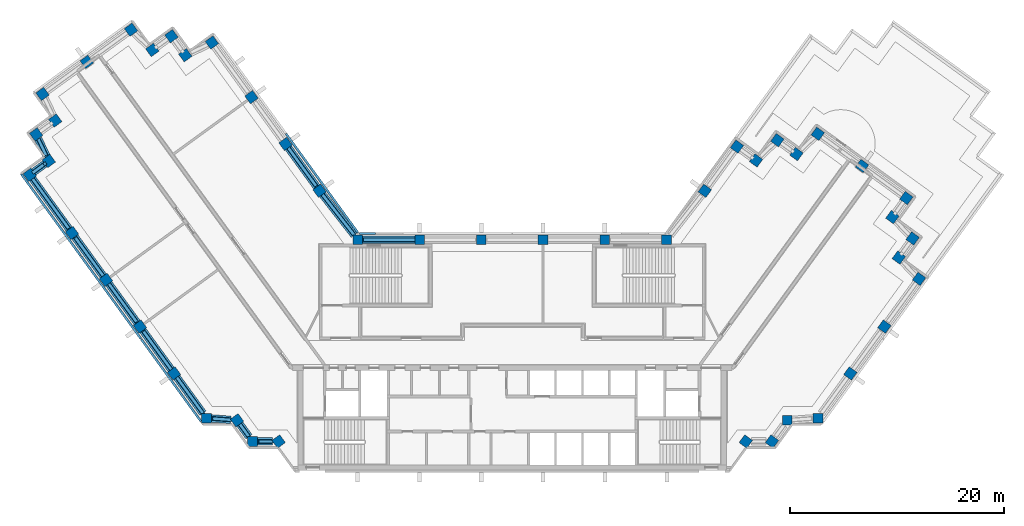
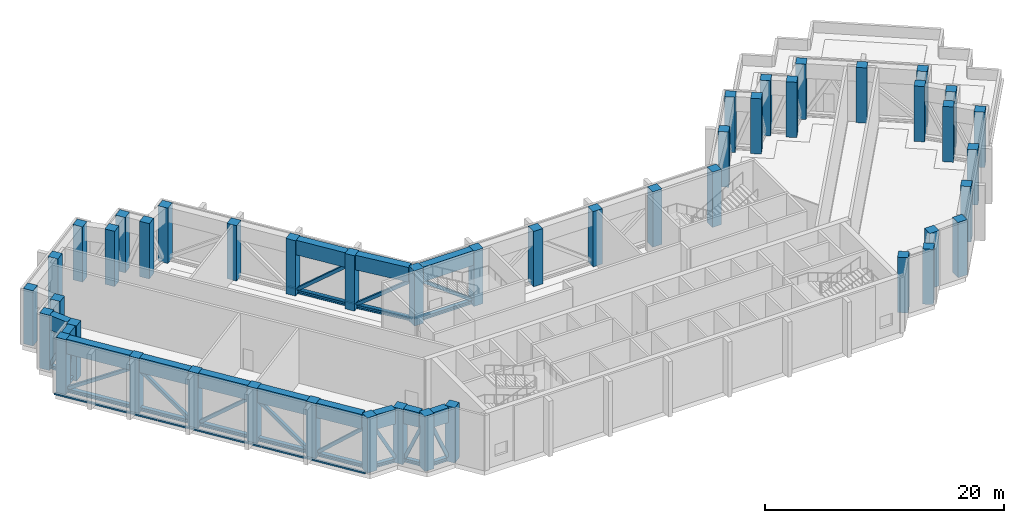
"""IFC4 building model written with IfcOpenShell, lengths in metres."""

from ifc_helpers import new_model, si_unit, direction, frame, origin, origin_2d, place, context, subcontext, project, spatial, rectangle, hollow_rectangle, i_section, extrude, material, material_profile, profile_set, type_object, element, aggregate, save


model = new_model("IFC4")

# Units and contexts
model_context = context("Model", 3, precision=1e-05, world=origin(), true_north=direction((0.0, 1.0)))
body_context = subcontext(model_context, "Body", "Model", "MODEL_VIEW")
ifc_project = project(units=[si_unit("LENGTHUNIT", "METRE"), si_unit("AREAUNIT", "SQUARE_METRE"), si_unit("VOLUMEUNIT", "CUBIC_METRE"), si_unit("PLANEANGLEUNIT", "RADIAN"), si_unit("MASSUNIT", "GRAM", prefix="KILO")], contexts=[model_context])

# Site, building, storey
site_placement = place(None, origin())
site = spatial("IfcSite", under=ifc_project, at=site_placement, CompositionType="ELEMENT")
building_placement = place(site_placement, origin())
building = spatial("IfcBuilding", under=site, at=building_placement, Name="Quipu Civic Tower", CompositionType="ELEMENT")
storey_1_placement = place(building_placement, frame((0.0, 0.0, 188.0)))
storey_1 = spatial("IfcBuildingStorey", under=building, at=storey_1_placement, Name="L44", CompositionType="ELEMENT", Elevation=188.0)

# Columns
ifc_material_1 = material(Name="Concrete C50/60", Category="concrete")
ifc_material_profile_1 = material_profile(ifc_material_1, rectangle(XDim=0.89990234375, YDim=0.89990234375, at=origin_2d()), Name="RC900x900")
ifc_profile_set_1 = profile_set([ifc_material_profile_1], Name="Concrete C50/60")
column_type = type_object("IfcColumnType", Name="Perimeter column RC 900x900 C50/60", PredefinedType="COLUMN", material=ifc_profile_set_1)
for number, where, z_axis, x_axis, name in (
    (1, (-17.9736328125, 15.074951171875, 0.0), (0.0, 0.0, 1.0), (-0.587785252292, 0.809016994375, 0.0), "Column L44 W-IN-01"),
    (2, (-21.1474609375, 19.44384765625, 0.0), (0.0, 0.0, 1.0), (-0.587785252292, 0.809016994375, 0.0), "Column L44 W-IN-02"),
    (3, (-24.3212890625, 23.8125, 0.0), (0.0, 0.0, 1.0), (-0.587785252292, 0.809016994375, 0.0), "Column L44 W-IN-03"),
    (4, (-28.02001953125, 28.905029296875, 0.0), (0.0, 0.0, 1.0), (-0.809016994375, -0.587785252292, 0.0), "Column L44 T-Wi.0-W34"),
    (5, (-30.498779296875, 27.72265625, 0.0), (0.0, 0.0, 1.0), (-0.809016994375, -0.587785252292, 0.0), "Column L44 T-Wi.1-W34"),
    (6, (-31.794921875, 29.5, 0.0), (0.0, 0.0, 1.0), (-0.587785252292, 0.809016994375, 0.0), "Column L44 T-Wi.2-W34"),
    (7, (-33.573974609375, 28.20947265625, 0.0), (0.0, 0.0, 1.0), (-0.587785252292, 0.809016994375, 0.0), "Column L44 T-Wi.3-W34"),
    (8, (-35.56494140625, 30.10009765625, 0.0), (0.0, 0.0, 1.0), (-0.809016994375, -0.587785252292, 0.0), "Column L44 T-Wi.4-W34"),
    (9, (-39.690673828125, 27.10205078125, 0.0), (0.0, 0.0, 1.0), (-0.809016994375, -0.587785252292, 0.0), "Column L44 TIP-W-01-W34"),
    (10, (-43.81494140625, 24.10498046875, 0.0), (0.0, 0.0, 1.0), (-0.809016994375, -0.587785252292, 0.0), "Column L44 T-Wo.0-W34"),
    (11, (-42.635009765625, 21.626220703125, 0.0), (0.0, 0.0, 1.0), (-0.809016994375, -0.587785252292, 0.0), "Column L44 T-Wo.1-W34"),
    (12, (-44.4150390625, 20.3349609375, 0.0), (0.0, 0.0, 1.0), (0.587785252292, -0.809016994375, 0.0), "Column L44 T-Wo.2-W34"),
    (13, (-43.23095703125, 17.8544921875, 0.0), (0.0, 0.0, 1.0), (0.587785252292, -0.809016994375, 0.0), "Column L44 T-Wo.3-W34"),
    (14, (-45.010009765625, 16.56005859375, 0.0), (0.0, 0.0, 1.0), (0.587785252292, -0.809016994375, 0.0), "Column L44 T-Wo.4-W34"),
    (15, (-41.0703125, 11.137451171875, 0.0), (0.0, 0.0, 1.0), (0.587785252292, -0.809016994375, 0.0), "Column L44 W-OUT-04"),
    (16, (-37.896240234375, 6.768798828125, 0.0), (0.0, 0.0, 1.0), (0.587785252292, -0.809016994375, 0.0), "Column L44 W-OUT-03"),
    (17, (-34.722412109375, 2.39990234375, 0.0), (0.0, 0.0, 1.0), (0.587785252292, -0.809016994375, 0.0), "Column L44 W-OUT-02"),
    (18, (-31.54833984375, -1.96875, 0.0), (0.0, 0.0, 1.0), (0.587785252292, -0.809016994375, 0.0), "Column L44 W-OUT-01"),
    (19, (-28.52490234375, -6.1298828125, 0.0), (0.0, 0.0, 1.0), (1.0, 0.0, 0.0), "Column L44 J-Wo.0"),
    (20, (-25.67431640625, -6.3369140625, 0.0), (0.0, 0.0, 1.0), (0.587785252292, -0.809016994375, 0.0), "Column L44 J-Wo.1"),
    (21, (-24.235107421875, -8.31494140625, 0.0), (0.0, 0.0, 1.0), (1.0, 0.0, 0.0), "Column L44 J-Wo.2"),
    (22, (-21.791748046875, -8.31494140625, 0.0), (0.0, 0.0, 1.0), (0.587785252292, -0.809016994375, 0.0), "Column L44 J-Wo.3"),
    (23, (21.791748046875, -8.31494140625, 0.0), (0.0, 0.0, 1.0), (0.587785252292, 0.809016994375, 0.0), "Column L44 J-Eo.1"),
    (24, (24.235107421875, -8.31494140625, 0.0), (0.0, 0.0, 1.0), (0.587785252292, 0.809016994375, 0.0), "Column L44 J-Eo.2"),
    (25, (25.67431640625, -6.3369140625, 0.0), (0.0, 0.0, 1.0), (1.0, 0.0, 0.0), "Column L44 J-Eo.3"),
    (26, (28.52490234375, -6.1298828125, 0.0), (0.0, 0.0, 1.0), (1.0, 0.0, 0.0), "Column L44 J-Eo.4"),
    (27, (31.54833984375, -1.96875, 0.0), (0.0, 0.0, 1.0), (0.587785252292, 0.809016994375, 0.0), "Column L44 E-OUT-01"),
    (28, (34.722412109375, 2.39990234375, 0.0), (0.0, 0.0, 1.0), (0.587785252292, 0.809016994375, 0.0), "Column L44 E-OUT-02"),
    (29, (37.9599609375, 6.85498046875, 0.0), (0.0, 0.0, 1.0), (0.587785252292, 0.809016994375, 0.0), "Column L44 T-Eo.0-E22"),
    (30, (36.068115234375, 8.843994140625, 0.0), (0.0, 0.0, 1.0), (0.587785252292, 0.809016994375, 0.0), "Column L44 T-Eo.1-E22"),
    (31, (37.360107421875, 10.625, 0.0), (0.0, 0.0, 1.0), (0.587785252292, 0.809016994375, 0.0), "Column L44 T-Eo.2-E22"),
    (32, (35.470703125, 12.616455078125, 0.0), (0.0, 0.0, 1.0), (-0.809016994375, 0.587785252292, 0.0), "Column L44 T-Eo.3-E22"),
    (33, (36.764892578125, 14.39501953125, 0.0), (0.0, 0.0, 1.0), (-0.809016994375, 0.587785252292, 0.0), "Column L44 T-Eo.4-E22"),
    (34, (32.636962890625, 17.39306640625, 0.0), (0.0, 0.0, 1.0), (-0.809016994375, 0.587785252292, 0.0), "Column L44 TIP-E-01-E22"),
    (35, (28.510009765625, 20.389892578125, 0.0), (0.0, 0.0, 1.0), (-0.587785252292, -0.809016994375, 0.0), "Column L44 T-Ei.0-E22"),
    (36, (26.51904296875, 18.50048828125, 0.0), (0.0, 0.0, 1.0), (-0.809016994375, 0.587785252292, 0.0), "Column L44 T-Ei.1-E22"),
    (37, (24.739990234375, 19.794921875, 0.0), (0.0, 0.0, 1.0), (-0.587785252292, -0.809016994375, 0.0), "Column L44 T-Ei.2-E22"),
    (38, (22.749267578125, 17.904296875, 0.0), (0.0, 0.0, 1.0), (-0.587785252292, -0.809016994375, 0.0), "Column L44 T-Ei.3-E22"),
    (39, (20.969970703125, 19.195068359375, 0.0), (0.0, 0.0, 1.0), (-0.587785252292, -0.809016994375, 0.0), "Column L44 T-Ei.4-E22"),
    (40, (17.9736328125, 15.074951171875, 0.0), (0.0, 0.0, 1.0), (-0.587785252292, -0.809016994375, 0.0), "Column L44 E-IN-01"),
    (41, (14.395263671875, 10.5, 0.0), (0.0, 0.0, 1.0), (-1.0, 0.0, 0.0), "Column L44 J-Ei.0"),
    (42, (8.63720703125, 10.5, 0.0), (0.0, 0.0, 1.0), (-1.0, 0.0, 0.0), "Column L44 FRONT-01"),
    (43, (2.87890625, 10.5, 0.0), (0.0, 0.0, 1.0), (-1.0, 0.0, 0.0), "Column L44 FRONT-02"),
    (44, (-2.87890625, 10.5, 0.0), (0.0, 0.0, 1.0), (-1.0, 0.0, 0.0), "Column L44 FRONT-03"),
    (45, (-8.63720703125, 10.5, 0.0), (0.0, 0.0, 1.0), (-1.0, 0.0, 0.0), "Column L44 FRONT-04"),
    (46, (-14.395263671875, 10.5, 0.0), (0.0, 0.0, 1.0), (-1.0, 0.0, 0.0), "Column L44 J-Wi.0"),
):
    element("IfcColumn", number, at=place(storey_1_placement, frame(where, z_axis=z_axis, x_axis=x_axis)), inside=storey_1, type_object=column_type, Name=name, PredefinedType="COLUMN", context=body_context, shape_type="SweptSolid", body=[
        extrude(rectangle(XDim=0.89990234375, YDim=0.89990234375, at=origin_2d()), origin(), (0.0, 0.0, 1.0), 5.64990234375),
    ])

# Beams
ifc_material_2 = material(Name="Steel ASTM A992 Grade 50 (fy 345 MPa)", Category="steel")
ifc_material_profile_2 = material_profile(ifc_material_2, i_section(OverallWidth=0.3740234375, OverallDepth=0.372314453125, WebThickness=0.016357421875, FlangeThickness=0.026123046875, at=origin_2d()), Name="W360x196")
ifc_profile_set_2 = profile_set([ifc_material_profile_2], Name="Steel ASTM A992 Grade 50 (fy 345 MPa)")
beam_type_1 = type_object("IfcBeamType", Name="Belt truss bottom chord W360x196", PredefinedType="BEAM", material=ifc_profile_set_2)
beam_1_placement = place(storey_1_placement, frame((-18.238037109375, 15.43896484375, 0.2861328125), z_axis=(-0.587716763865, 0.809066749701, 0.0), x_axis=(-0.809066749701, -0.587716763865, 0.0)))
element("IfcBeam", 47, at=beam_1_placement, inside=storey_1, type_object=beam_type_1, Name="Truss bottom chord L44 W-IN-01 to W-IN-02", PredefinedType="BEAM", context=body_context, shape_type="SweptSolid", body=[
    extrude(i_section(OverallWidth=0.3740234375, OverallDepth=0.372314453125, WebThickness=0.016357421875, FlangeThickness=0.026123046875, at=origin_2d()), origin(), (0.0, 0.0, 1.0), 4.5),
])
beam_2_placement = place(storey_1_placement, frame((-44.2177734375, 19.922119140625, 0.2861328125), z_axis=(0.430677818234, -0.902505743406, 0.0), x_axis=(0.902505743406, 0.430677818234, 0.0)))
element("IfcBeam", 48, at=beam_2_placement, inside=storey_1, type_object=beam_type_1, Name="Truss bottom chord L44 T-Wo.2-W34 to T-Wo.3-W34", PredefinedType="BEAM", context=body_context, shape_type="SweptSolid", body=[
    extrude(i_section(OverallWidth=0.3740234375, OverallDepth=0.372314453125, WebThickness=0.016357421875, FlangeThickness=0.026123046875, at=origin_2d()), origin(), (0.0, 0.0, 1.0), 1.833251953125),
])
beam_3_placement = place(storey_1_placement, frame((-43.594970703125, 17.58984375, 0.2861328125), z_axis=(-0.808524921146, -0.588461937499, 0.0), x_axis=(0.588461937499, -0.808524921146, 0.0)))
element("IfcBeam", 49, at=beam_3_placement, inside=storey_1, type_object=beam_type_1, Name="Truss bottom chord L44 T-Wo.3-W34 to T-Wo.4-W34", PredefinedType="BEAM", context=body_context, shape_type="SweptSolid", body=[
    extrude(i_section(OverallWidth=0.3740234375, OverallDepth=0.372314453125, WebThickness=0.016357421875, FlangeThickness=0.026123046875, at=origin_2d()), origin(), (0.0, 0.0, 1.0), 1.30029296875),
])
beam_4_placement = place(storey_1_placement, frame((-44.74560546875, 16.196044921875, 0.2861328125), z_axis=(0.587766353983, -0.809030724463, 0.0), x_axis=(0.809030724463, 0.587766353983, 0.0)))
element("IfcBeam", 50, at=beam_4_placement, inside=storey_1, type_object=beam_type_1, Name="Truss bottom chord L44 T-Wo.4-W34 to W-OUT-04", PredefinedType="BEAM", context=body_context, shape_type="SweptSolid", body=[
    extrude(i_section(OverallWidth=0.3740234375, OverallDepth=0.372314453125, WebThickness=0.016357421875, FlangeThickness=0.026123046875, at=origin_2d()), origin(), (0.0, 0.0, 1.0), 5.802734375),
])
beam_5_placement = place(storey_1_placement, frame((-40.805908203125, 10.7734375, 0.2861328125), z_axis=(0.587778073121, -0.809022210299, 0.0), x_axis=(0.809022210299, 0.587778073121, 0.0)))
element("IfcBeam", 51, at=beam_5_placement, inside=storey_1, type_object=beam_type_1, Name="Truss bottom chord L44 W-OUT-04 to W-OUT-03", PredefinedType="BEAM", context=body_context, shape_type="SweptSolid", body=[
    extrude(i_section(OverallWidth=0.3740234375, OverallDepth=0.372314453125, WebThickness=0.016357421875, FlangeThickness=0.026123046875, at=origin_2d()), origin(), (0.0, 0.0, 1.0), 4.5),
])
beam_6_placement = place(storey_1_placement, frame((-37.6318359375, 6.404541015625, 0.2861328125), z_axis=(0.587803872688, -0.809003465539, 0.0), x_axis=(0.809003465539, 0.587803872688, 0.0)))
element("IfcBeam", 52, at=beam_6_placement, inside=storey_1, type_object=beam_type_1, Name="Truss bottom chord L44 W-OUT-03 to W-OUT-02", PredefinedType="BEAM", context=body_context, shape_type="SweptSolid", body=[
    extrude(i_section(OverallWidth=0.3740234375, OverallDepth=0.372314453125, WebThickness=0.016357421875, FlangeThickness=0.026123046875, at=origin_2d()), origin(), (0.0, 0.0, 1.0), 4.499755859375),
])
beam_7_placement = place(storey_1_placement, frame((-34.457763671875, 2.035888671875, 0.2861328125), z_axis=(0.587778073121, -0.809022210299, 0.0), x_axis=(0.809022210299, 0.587778073121, 0.0)))
element("IfcBeam", 53, at=beam_7_placement, inside=storey_1, type_object=beam_type_1, Name="Truss bottom chord L44 W-OUT-02 to W-OUT-01", PredefinedType="BEAM", context=body_context, shape_type="SweptSolid", body=[
    extrude(i_section(OverallWidth=0.3740234375, OverallDepth=0.372314453125, WebThickness=0.016357421875, FlangeThickness=0.026123046875, at=origin_2d()), origin(), (0.0, 0.0, 1.0), 4.5),
])
beam_8_placement = place(storey_1_placement, frame((-31.28369140625, -2.332763671875, 0.2861328125), z_axis=(0.587750565781, -0.809042194464, 0.0), x_axis=(0.809042194464, 0.587750565781, 0.0)))
element("IfcBeam", 54, at=beam_8_placement, inside=storey_1, type_object=beam_type_1, Name="Truss bottom chord L44 W-OUT-01 to J-Wo.0", PredefinedType="BEAM", context=body_context, shape_type="SweptSolid", body=[
    extrude(i_section(OverallWidth=0.3740234375, OverallDepth=0.372314453125, WebThickness=0.016357421875, FlangeThickness=0.026123046875, at=origin_2d()), origin(), (0.0, 0.0, 1.0), 4.13720703125),
])
beam_9_placement = place(storey_1_placement, frame((-28.074951171875, -6.16259765625, 0.2861328125), z_axis=(0.997367229877, -0.072516265536, 0.0), x_axis=(0.072516265536, 0.997367229877, 0.0)))
element("IfcBeam", 55, at=beam_9_placement, inside=storey_1, type_object=beam_type_1, Name="Truss bottom chord L44 J-Wo.0 to J-Wo.1", PredefinedType="BEAM", context=body_context, shape_type="SweptSolid", body=[
    extrude(i_section(OverallWidth=0.3740234375, OverallDepth=0.372314453125, WebThickness=0.016357421875, FlangeThickness=0.026123046875, at=origin_2d()), origin(), (0.0, 0.0, 1.0), 1.818115234375),
])
beam_10_placement = place(storey_1_placement, frame((-25.40966796875, -6.700927734375, 0.2861328125), z_axis=(0.588433824377, -0.808545381738, 0.0), x_axis=(0.808545381738, 0.588433824377, 0.0)))
element("IfcBeam", 56, at=beam_10_placement, inside=storey_1, type_object=beam_type_1, Name="Truss bottom chord L44 J-Wo.1 to J-Wo.2", PredefinedType="BEAM", context=body_context, shape_type="SweptSolid", body=[
    extrude(i_section(OverallWidth=0.3740234375, OverallDepth=0.372314453125, WebThickness=0.016357421875, FlangeThickness=0.026123046875, at=origin_2d()), origin(), (0.0, 0.0, 1.0), 1.439697265625),
])
beam_11_placement = place(storey_1_placement, frame((-23.784912109375, -8.31494140625, 0.2861328125), z_axis=(1.0, 0.0, 0.0), x_axis=(0.0, 1.0, 0.0)))
element("IfcBeam", 57, at=beam_11_placement, inside=storey_1, type_object=beam_type_1, Name="Truss bottom chord L44 J-Wo.2 to J-Wo.3", PredefinedType="BEAM", context=body_context, shape_type="SweptSolid", body=[
    extrude(i_section(OverallWidth=0.3740234375, OverallDepth=0.372314453125, WebThickness=0.016357421875, FlangeThickness=0.026123046875, at=origin_2d()), origin(), (0.0, 0.0, 1.0), 1.436767578125),
])
beam_12_placement = place(storey_1_placement, frame((-9.087158203125, 10.5, 0.2861328125), z_axis=(-1.0, 0.0, 0.0), x_axis=(0.0, -1.0, 0.0)))
element("IfcBeam", 58, at=beam_12_placement, inside=storey_1, type_object=beam_type_1, Name="Truss bottom chord L44 FRONT-04 to J-Wi.0", PredefinedType="BEAM", context=body_context, shape_type="SweptSolid", body=[
    extrude(i_section(OverallWidth=0.3740234375, OverallDepth=0.372314453125, WebThickness=0.016357421875, FlangeThickness=0.026123046875, at=origin_2d()), origin(), (0.0, 0.0, 1.0), 4.858154296875),
])
beam_13_placement = place(storey_1_placement, frame((-14.7470703125, 10.949951171875, 0.2861328125), z_axis=(-0.616123961998, 0.787649200756, 0.0), x_axis=(-0.787649200756, -0.616123961998, 0.0)))
element("IfcBeam", 59, at=beam_13_placement, inside=storey_1, type_object=beam_type_1, Name="Truss bottom chord L44 J-Wi.0 to W-IN-01", PredefinedType="BEAM", context=body_context, shape_type="SweptSolid", body=[
    extrude(i_section(OverallWidth=0.3740234375, OverallDepth=0.372314453125, WebThickness=0.016357421875, FlangeThickness=0.026123046875, at=origin_2d()), origin(), (0.0, 0.0, 1.0), 4.78662109375),
])

# Members
ifc_material_3 = material(Name="Steel ASTM A500 Grade C (fy 345 MPa)", Category="steel")
ifc_material_profile_3 = material_profile(ifc_material_3, hollow_rectangle(XDim=0.3046875, YDim=0.3046875, WallThickness=0.0126953125, at=origin_2d()), Name="HSS305x305x13")
ifc_profile_set_3 = profile_set([ifc_material_profile_3], Name="Steel ASTM A500 Grade C (fy 345 MPa)")
member_type_1 = type_object("IfcMemberType", Name="Belt truss diagonal HSS305x305x13", PredefinedType="BRACE", material=ifc_profile_set_3)
member_1_placement = place(storey_1_placement, frame((-18.238037109375, 15.43896484375, 4.14990234375), z_axis=(-0.455085553293, 0.626483047748, -0.632784426221), x_axis=(-0.809066749701, -0.587716763865, 0.0)))
element("IfcMember", 60, at=member_1_placement, inside=storey_1, type_object=member_type_1, Name="Truss diagonal L44 W-IN-01 to W-IN-02", PredefinedType="BRACE", context=body_context, shape_type="SweptSolid", body=[
    extrude(hollow_rectangle(XDim=0.3046875, YDim=0.3046875, WallThickness=0.0126953125, at=origin_2d()), origin(), (0.0, 0.0, 1.0), 5.8115234375),
])
member_2_placement = place(storey_1_placement, frame((-44.22119140625, 19.928955078125, 0.472412109375), z_axis=(0.193487627574, -0.405303788846, 0.893471531009), x_axis=(0.902440195661, 0.430815149751, 0.0)))
element("IfcMember", 61, at=member_2_placement, inside=storey_1, type_object=member_type_1, Name="Truss diagonal L44 T-Wo.2-W34 to T-Wo.3-W34", PredefinedType="BRACE", context=body_context, shape_type="SweptSolid", body=[
    extrude(hollow_rectangle(XDim=0.3046875, YDim=0.3046875, WallThickness=0.0126953125, at=origin_2d()), origin(), (0.0, 0.0, 1.0), 4.115966796875),
])
member_3_placement = place(storey_1_placement, frame((-43.594970703125, 17.58984375, 4.14990234375), z_axis=(-0.269516102649, -0.196159652973, -0.942805632651), x_axis=(0.588461937499, -0.808524921146, 0.0)))
element("IfcMember", 62, at=member_3_placement, inside=storey_1, type_object=member_type_1, Name="Truss diagonal L44 T-Wo.3-W34 to T-Wo.4-W34", PredefinedType="BRACE", context=body_context, shape_type="SweptSolid", body=[
    extrude(hollow_rectangle(XDim=0.3046875, YDim=0.3046875, WallThickness=0.0126953125, at=origin_2d()), origin(), (0.0, 0.0, 1.0), 3.900634765625),
])
member_4_placement = place(storey_1_placement, frame((-44.74560546875, 16.196044921875, 0.472412109375), z_axis=(0.49646210482, -0.683355033184, 0.535304845018), x_axis=(0.809030724463, 0.587766353983, 0.0)))
element("IfcMember", 63, at=member_4_placement, inside=storey_1, type_object=member_type_1, Name="Truss diagonal L44 T-Wo.4-W34 to W-OUT-04", PredefinedType="BRACE", context=body_context, shape_type="SweptSolid", body=[
    extrude(hollow_rectangle(XDim=0.3046875, YDim=0.3046875, WallThickness=0.0126953125, at=origin_2d()), origin(), (0.0, 0.0, 1.0), 6.869873046875),
])
for number, where, z_axis, x_axis, name in (
    (64, (-40.805908203125, 10.7734375, 4.14990234375), (0.455130838756, -0.626445548046, -0.632788981372), (0.809022210299, 0.587778073121, 0.0), "Truss diagonal L44 W-OUT-04 to W-OUT-03"),
    (65, (-37.6318359375, 6.404541015625, 0.472412109375), (0.455142816351, -0.626420023501, 0.632805634363), (0.809003465539, 0.587803872688, 0.0), "Truss diagonal L44 W-OUT-03 to W-OUT-02"),
    (66, (-34.457763671875, 2.035888671875, 4.14990234375), (0.455130838756, -0.626445548046, -0.632788981372), (0.809022210299, 0.587778073121, 0.0), "Truss diagonal L44 W-OUT-02 to W-OUT-01"),
):
    element("IfcMember", number, at=place(storey_1_placement, frame(where, z_axis=z_axis, x_axis=x_axis)), inside=storey_1, type_object=member_type_1, Name=name, PredefinedType="BRACE", context=body_context, shape_type="SweptSolid", body=[
        extrude(hollow_rectangle(XDim=0.3046875, YDim=0.3046875, WallThickness=0.0126953125, at=origin_2d()), origin(), (0.0, 0.0, 1.0), 5.8115234375),
    ])
member_5_placement = place(storey_1_placement, frame((-31.28369140625, -2.332763671875, 0.472412109375), z_axis=(0.444173716146, -0.611391033325, 0.654912753163), x_axis=(0.809034531764, 0.58776111339, 0.0)))
element("IfcMember", 67, at=member_5_placement, inside=storey_1, type_object=member_type_1, Name="Truss diagonal L44 W-OUT-01 to J-Wo.0", PredefinedType="BRACE", context=body_context, shape_type="SweptSolid", body=[
    extrude(hollow_rectangle(XDim=0.3046875, YDim=0.3046875, WallThickness=0.0126953125, at=origin_2d()), origin(), (0.0, 0.0, 1.0), 5.615234375),
])
member_6_placement = place(storey_1_placement, frame((-28.076171875, -6.16259765625, 4.14990234375), z_axis=(0.468736130303, -0.03404621724, -0.882681876579), x_axis=(0.072443235904, 0.997372537005, 0.0)))
element("IfcMember", 68, at=member_6_placement, inside=storey_1, type_object=member_type_1, Name="Truss diagonal L44 J-Wo.0 to J-Wo.1", PredefinedType="BRACE", context=body_context, shape_type="SweptSolid", body=[
    extrude(hollow_rectangle(XDim=0.3046875, YDim=0.3046875, WallThickness=0.0126953125, at=origin_2d()), origin(), (0.0, 0.0, 1.0), 4.166259765625),
])
member_7_placement = place(storey_1_placement, frame((-25.40966796875, -6.700927734375, 0.472412109375), z_axis=(0.228084792407, -0.313394746959, 0.92182485324), x_axis=(0.808538039962, 0.58844391231, 0.0)))
element("IfcMember", 69, at=member_7_placement, inside=storey_1, type_object=member_type_1, Name="Truss diagonal L44 J-Wo.1 to J-Wo.2", PredefinedType="BRACE", context=body_context, shape_type="SweptSolid", body=[
    extrude(hollow_rectangle(XDim=0.3046875, YDim=0.3046875, WallThickness=0.0126953125, at=origin_2d()), origin(), (0.0, 0.0, 1.0), 3.9892578125),
])
member_8_placement = place(storey_1_placement, frame((-23.784912109375, -8.31494140625, 4.14990234375), z_axis=(0.386948343991, 0.0, -0.92210139306), x_axis=(0.0, 1.0, 0.0)))
element("IfcMember", 70, at=member_8_placement, inside=storey_1, type_object=member_type_1, Name="Truss diagonal L44 J-Wo.2 to J-Wo.3", PredefinedType="BRACE", context=body_context, shape_type="SweptSolid", body=[
    extrude(hollow_rectangle(XDim=0.3046875, YDim=0.3046875, WallThickness=0.0126953125, at=origin_2d()), origin(), (0.0, 0.0, 1.0), 3.98828125),
])
member_9_placement = place(storey_1_placement, frame((-9.087158203125, 10.5, 0.472412109375), z_axis=(-0.797323523901, 0.0, 0.603552150385), x_axis=(0.0, -1.0, 0.0)))
element("IfcMember", 71, at=member_9_placement, inside=storey_1, type_object=member_type_1, Name="Truss diagonal L44 FRONT-04 to J-Wi.0", PredefinedType="BRACE", context=body_context, shape_type="SweptSolid", body=[
    extrude(hollow_rectangle(XDim=0.3046875, YDim=0.3046875, WallThickness=0.0126953125, at=origin_2d()), origin(), (0.0, 0.0, 1.0), 6.093017578125),
])
member_10_placement = place(storey_1_placement, frame((-14.67236328125, 10.8544921875, 4.14990234375), z_axis=(-0.493057703234, 0.630354329946, -0.599622814776), x_axis=(-0.787664522221, -0.616104374627, 0.0)))
element("IfcMember", 72, at=member_10_placement, inside=storey_1, type_object=member_type_1, Name="Truss diagonal L44 J-Wi.0 to W-IN-01", PredefinedType="BRACE", context=body_context, shape_type="SweptSolid", body=[
    extrude(hollow_rectangle(XDim=0.3046875, YDim=0.3046875, WallThickness=0.0126953125, at=origin_2d()), origin(), (0.0, 0.0, 1.0), 6.133056640625),
])

# Beams
ifc_material_4 = material(Name="Steel ASTM A572 Grade 50 (fy 345 MPa)", Category="steel")
ifc_material_profile_4 = material_profile(ifc_material_4, hollow_rectangle(XDim=0.699951171875, YDim=1.5, WallThickness=0.050048828125, at=origin_2d()), Name="BX1500x700x50")
ifc_profile_set_4 = profile_set([ifc_material_profile_4], Name="Steel ASTM A572 Grade 50 (fy 345 MPa)")
beam_type_2 = type_object("IfcBeamType", Name="Belt truss top chord BX1500x700x50", PredefinedType="BEAM", material=ifc_profile_set_4)
beam_14_placement = place(storey_1_placement, frame((-18.238037109375, 15.43896484375, 4.89990234375), z_axis=(-0.587716763865, 0.809066749701, 0.0), x_axis=(-0.809066749701, -0.587716763865, 0.0)))
element("IfcBeam", 73, at=beam_14_placement, inside=storey_1, type_object=beam_type_2, Name="Truss top chord L44 W-IN-01 to W-IN-02", PredefinedType="BEAM", context=body_context, shape_type="SweptSolid", body=[
    extrude(hollow_rectangle(XDim=0.699951171875, YDim=1.5, WallThickness=0.050048828125, at=origin_2d()), origin(), (0.0, 0.0, 1.0), 4.5),
])
beam_15_placement = place(storey_1_placement, frame((-44.2177734375, 19.922119140625, 4.89990234375), z_axis=(0.430677818234, -0.902505743406, 0.0), x_axis=(0.902505743406, 0.430677818234, 0.0)))
element("IfcBeam", 74, at=beam_15_placement, inside=storey_1, type_object=beam_type_2, Name="Truss top chord L44 T-Wo.2-W34 to T-Wo.3-W34", PredefinedType="BEAM", context=body_context, shape_type="SweptSolid", body=[
    extrude(hollow_rectangle(XDim=0.699951171875, YDim=1.5, WallThickness=0.050048828125, at=origin_2d()), origin(), (0.0, 0.0, 1.0), 1.833251953125),
])
beam_16_placement = place(storey_1_placement, frame((-43.594970703125, 17.58984375, 4.89990234375), z_axis=(-0.808524921146, -0.588461937499, 0.0), x_axis=(0.588461937499, -0.808524921146, 0.0)))
element("IfcBeam", 75, at=beam_16_placement, inside=storey_1, type_object=beam_type_2, Name="Truss top chord L44 T-Wo.3-W34 to T-Wo.4-W34", PredefinedType="BEAM", context=body_context, shape_type="SweptSolid", body=[
    extrude(hollow_rectangle(XDim=0.699951171875, YDim=1.5, WallThickness=0.050048828125, at=origin_2d()), origin(), (0.0, 0.0, 1.0), 1.30029296875),
])
beam_17_placement = place(storey_1_placement, frame((-44.74560546875, 16.196044921875, 4.89990234375), z_axis=(0.587766353983, -0.809030724463, 0.0), x_axis=(0.809030724463, 0.587766353983, 0.0)))
element("IfcBeam", 76, at=beam_17_placement, inside=storey_1, type_object=beam_type_2, Name="Truss top chord L44 T-Wo.4-W34 to W-OUT-04", PredefinedType="BEAM", context=body_context, shape_type="SweptSolid", body=[
    extrude(hollow_rectangle(XDim=0.699951171875, YDim=1.5, WallThickness=0.050048828125, at=origin_2d()), origin(), (0.0, 0.0, 1.0), 5.802734375),
])
beam_18_placement = place(storey_1_placement, frame((-40.805908203125, 10.7734375, 4.89990234375), z_axis=(0.587778073121, -0.809022210299, 0.0), x_axis=(0.809022210299, 0.587778073121, 0.0)))
element("IfcBeam", 77, at=beam_18_placement, inside=storey_1, type_object=beam_type_2, Name="Truss top chord L44 W-OUT-04 to W-OUT-03", PredefinedType="BEAM", context=body_context, shape_type="SweptSolid", body=[
    extrude(hollow_rectangle(XDim=0.699951171875, YDim=1.5, WallThickness=0.050048828125, at=origin_2d()), origin(), (0.0, 0.0, 1.0), 4.5),
])
beam_19_placement = place(storey_1_placement, frame((-37.6318359375, 6.404541015625, 4.89990234375), z_axis=(0.587803872688, -0.809003465539, 0.0), x_axis=(0.809003465539, 0.587803872688, 0.0)))
element("IfcBeam", 78, at=beam_19_placement, inside=storey_1, type_object=beam_type_2, Name="Truss top chord L44 W-OUT-03 to W-OUT-02", PredefinedType="BEAM", context=body_context, shape_type="SweptSolid", body=[
    extrude(hollow_rectangle(XDim=0.699951171875, YDim=1.5, WallThickness=0.050048828125, at=origin_2d()), origin(), (0.0, 0.0, 1.0), 4.499755859375),
])
beam_20_placement = place(storey_1_placement, frame((-34.457763671875, 2.035888671875, 4.89990234375), z_axis=(0.587778073121, -0.809022210299, 0.0), x_axis=(0.809022210299, 0.587778073121, 0.0)))
element("IfcBeam", 79, at=beam_20_placement, inside=storey_1, type_object=beam_type_2, Name="Truss top chord L44 W-OUT-02 to W-OUT-01", PredefinedType="BEAM", context=body_context, shape_type="SweptSolid", body=[
    extrude(hollow_rectangle(XDim=0.699951171875, YDim=1.5, WallThickness=0.050048828125, at=origin_2d()), origin(), (0.0, 0.0, 1.0), 4.5),
])
beam_21_placement = place(storey_1_placement, frame((-31.28369140625, -2.332763671875, 4.89990234375), z_axis=(0.587750565781, -0.809042194464, 0.0), x_axis=(0.809042194464, 0.587750565781, 0.0)))
element("IfcBeam", 80, at=beam_21_placement, inside=storey_1, type_object=beam_type_2, Name="Truss top chord L44 W-OUT-01 to J-Wo.0", PredefinedType="BEAM", context=body_context, shape_type="SweptSolid", body=[
    extrude(hollow_rectangle(XDim=0.699951171875, YDim=1.5, WallThickness=0.050048828125, at=origin_2d()), origin(), (0.0, 0.0, 1.0), 4.13720703125),
])
beam_22_placement = place(storey_1_placement, frame((-28.074951171875, -6.16259765625, 4.89990234375), z_axis=(0.997367229877, -0.072516265536, 0.0), x_axis=(0.072516265536, 0.997367229877, 0.0)))
element("IfcBeam", 81, at=beam_22_placement, inside=storey_1, type_object=beam_type_2, Name="Truss top chord L44 J-Wo.0 to J-Wo.1", PredefinedType="BEAM", context=body_context, shape_type="SweptSolid", body=[
    extrude(hollow_rectangle(XDim=0.699951171875, YDim=1.5, WallThickness=0.050048828125, at=origin_2d()), origin(), (0.0, 0.0, 1.0), 1.818115234375),
])
beam_23_placement = place(storey_1_placement, frame((-25.40966796875, -6.700927734375, 4.89990234375), z_axis=(0.588433824377, -0.808545381738, 0.0), x_axis=(0.808545381738, 0.588433824377, 0.0)))
element("IfcBeam", 82, at=beam_23_placement, inside=storey_1, type_object=beam_type_2, Name="Truss top chord L44 J-Wo.1 to J-Wo.2", PredefinedType="BEAM", context=body_context, shape_type="SweptSolid", body=[
    extrude(hollow_rectangle(XDim=0.699951171875, YDim=1.5, WallThickness=0.050048828125, at=origin_2d()), origin(), (0.0, 0.0, 1.0), 1.439697265625),
])
beam_24_placement = place(storey_1_placement, frame((-23.784912109375, -8.31494140625, 4.89990234375), z_axis=(1.0, 0.0, 0.0), x_axis=(0.0, 1.0, 0.0)))
element("IfcBeam", 83, at=beam_24_placement, inside=storey_1, type_object=beam_type_2, Name="Truss top chord L44 J-Wo.2 to J-Wo.3", PredefinedType="BEAM", context=body_context, shape_type="SweptSolid", body=[
    extrude(hollow_rectangle(XDim=0.699951171875, YDim=1.5, WallThickness=0.050048828125, at=origin_2d()), origin(), (0.0, 0.0, 1.0), 1.436767578125),
])
beam_25_placement = place(storey_1_placement, frame((-9.087158203125, 10.5, 4.89990234375), z_axis=(-1.0, 0.0, 0.0), x_axis=(0.0, -1.0, 0.0)))
element("IfcBeam", 84, at=beam_25_placement, inside=storey_1, type_object=beam_type_2, Name="Truss top chord L44 FRONT-04 to J-Wi.0", PredefinedType="BEAM", context=body_context, shape_type="SweptSolid", body=[
    extrude(hollow_rectangle(XDim=0.699951171875, YDim=1.5, WallThickness=0.050048828125, at=origin_2d()), origin(), (0.0, 0.0, 1.0), 4.858154296875),
])
beam_26_placement = place(storey_1_placement, frame((-14.7470703125, 10.949951171875, 4.89990234375), z_axis=(-0.616123961998, 0.787649200756, 0.0), x_axis=(-0.787649200756, -0.616123961998, 0.0)))
element("IfcBeam", 85, at=beam_26_placement, inside=storey_1, type_object=beam_type_2, Name="Truss top chord L44 J-Wi.0 to W-IN-01", PredefinedType="BEAM", context=body_context, shape_type="SweptSolid", body=[
    extrude(hollow_rectangle(XDim=0.699951171875, YDim=1.5, WallThickness=0.050048828125, at=origin_2d()), origin(), (0.0, 0.0, 1.0), 4.78662109375),
])

# Storey
storey_2_placement = place(building_placement, frame((0.0, 0.0, 184.0)))
storey_2 = spatial("IfcBuildingStorey", under=building, at=storey_2_placement, Name="L43", CompositionType="ELEMENT", Elevation=184.0)

# Curtain wall, member
ifc_material_5 = material(Name="Insulated glass unit", Category="glass")
curtain_wall_type = type_object("IfcCurtainWallType", Name="Office curtain wall CW1", PredefinedType="NOTDEFINED", material=ifc_material_5)
curtain_wall_1_placement = place(storey_2_placement, origin())
curtain_wall_1 = element("IfcCurtainWall", 86, at=curtain_wall_1_placement, inside=storey_2, type_object=curtain_wall_type, Name="Office curtain wall CW1 L42 run 1", PredefinedType="NOTDEFINED")
ifc_material_6 = material(Name="Anodised aluminium", Category="aluminium")
ifc_material_profile_5 = material_profile(ifc_material_6, rectangle(XDim=0.199951171875, YDim=0.159912109375, at=origin_2d()), Name="RECT 200x160")
ifc_profile_set_5 = profile_set([ifc_material_profile_5], Name="Anodised aluminium")
member_type_2 = type_object("IfcMemberType", Name="Transom CW1", PredefinedType="USERDEFINED", material=ifc_profile_set_5)
member_11_placement = place(storey_1_placement, frame((-14.39111328125, 11.164794921875, 0.0), z_axis=(-0.587799878401, 0.809006367683, 0.0), x_axis=(-0.809006367683, -0.587799878401, 0.0)))
member_11 = element("IfcMember", 87, at=member_11_placement, inside=storey_1, type_object=member_type_2, Name="CW1 transom 1.3", ObjectType="TRANSOM", PredefinedType="USERDEFINED", context=body_context, shape_type="SweptSolid", body=[
    extrude(rectangle(XDim=0.199951171875, YDim=0.159912109375, at=origin_2d()), origin(), (0.0, 0.0, 1.0), 11.402099609375),
])
aggregate(curtain_wall_1, [member_11])

# Curtain wall, members
curtain_wall_2_placement = place(storey_2_placement, origin())
curtain_wall_2 = element("IfcCurtainWall", 88, at=curtain_wall_2_placement, inside=storey_2, type_object=curtain_wall_type, Name="Office curtain wall CW1 L42 run 8", PredefinedType="NOTDEFINED")
member_12_placement = place(storey_1_placement, frame((-45.802490234375, 16.629638671875, 0.0), z_axis=(0.587783783239, -0.809018061703, 0.0), x_axis=(0.809018061703, 0.587783783239, 0.0)))
member_12 = element("IfcMember", 89, at=member_12_placement, inside=storey_1, type_object=member_type_2, Name="CW1 transom 1.3", ObjectType="TRANSOM", PredefinedType="USERDEFINED", context=body_context, shape_type="SweptSolid", body=[
    extrude(rectangle(XDim=0.199951171875, YDim=0.159912109375, at=origin_2d()), origin(), (0.0, 0.0, 1.0), 9.431884765625),
])
member_13_placement = place(storey_1_placement, frame((-40.21142578125, 8.934326171875, 0.0), z_axis=(0.587773158676, -0.809025780763, 0.0), x_axis=(0.809025780763, 0.587773158676, 0.0)))
member_13 = element("IfcMember", 90, at=member_13_placement, inside=storey_1, type_object=member_type_2, Name="CW1 transom 2.3", ObjectType="TRANSOM", PredefinedType="USERDEFINED", context=body_context, shape_type="SweptSolid", body=[
    extrude(rectangle(XDim=0.199951171875, YDim=0.159912109375, at=origin_2d()), origin(), (0.0, 0.0, 1.0), 9.471923828125),
])
member_14_placement = place(storey_1_placement, frame((-34.596923828125, 1.20654296875, 0.0), z_axis=(0.587783783239, -0.809018061703, 0.0), x_axis=(0.809018061703, 0.587783783239, 0.0)))
member_14 = element("IfcMember", 91, at=member_14_placement, inside=storey_1, type_object=member_type_2, Name="CW1 transom 3.3", ObjectType="TRANSOM", PredefinedType="USERDEFINED", context=body_context, shape_type="SweptSolid", body=[
    extrude(rectangle(XDim=0.199951171875, YDim=0.159912109375, at=origin_2d()), origin(), (0.0, 0.0, 1.0), 9.431884765625),
])
aggregate(curtain_wall_2, [member_12, member_13, member_14])

# Curtain wall, member
curtain_wall_3_placement = place(storey_2_placement, origin())
curtain_wall_3 = element("IfcCurtainWall", 92, at=curtain_wall_3_placement, inside=storey_2, type_object=curtain_wall_type, Name="Office curtain wall CW1 L42 run 35", PredefinedType="NOTDEFINED")
member_15_placement = place(storey_1_placement, frame((-12.735107421875, 11.10009765625, 0.0), z_axis=(-1.0, 0.0, 0.0), x_axis=(0.0, -1.0, 0.0)))
member_15 = element("IfcMember", 93, at=member_15_placement, inside=storey_1, type_object=member_type_2, Name="CW1 transom 1.3", ObjectType="TRANSOM", PredefinedType="USERDEFINED", context=body_context, shape_type="SweptSolid", body=[
    extrude(rectangle(XDim=0.199951171875, YDim=0.159912109375, at=origin_2d()), origin(), (0.0, 0.0, 1.0), 1.529052734375),
])
aggregate(curtain_wall_3, [member_15])

save(model, "model.ifc")
